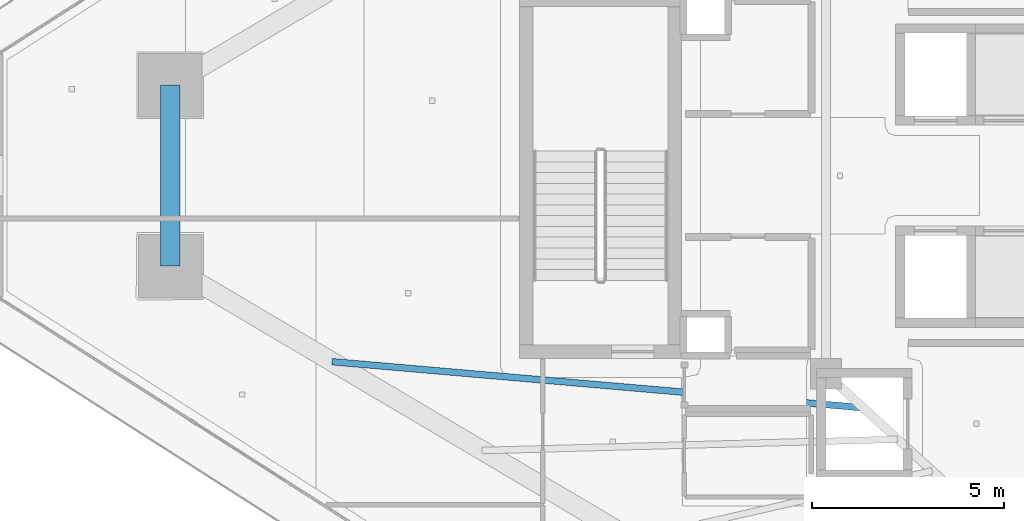
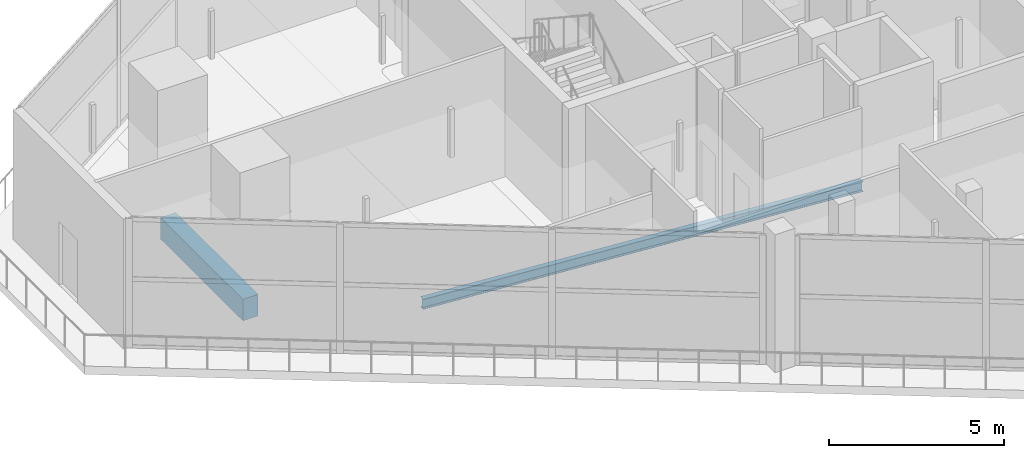
# One storey, part 6 of 36: 2 beams.
"""IFC4 building model written with IfcOpenShell, lengths in metres."""

from ifc_helpers import new_model, si_unit, direction, frame, origin, origin_2d, place, context, subcontext, project, spatial, rectangle, i_section, extrude, material, material_profile, profile_set, type_object, element, save


model = new_model("IFC4")

# Units and contexts
model_context = context("Model", 3, precision=1e-05, world=origin(), true_north=direction((0.0, 1.0)))
body_context = subcontext(model_context, "Body", "Model", "MODEL_VIEW")
ifc_project = project(units=[si_unit("LENGTHUNIT", "METRE"), si_unit("AREAUNIT", "SQUARE_METRE"), si_unit("VOLUMEUNIT", "CUBIC_METRE"), si_unit("PLANEANGLEUNIT", "RADIAN"), si_unit("MASSUNIT", "GRAM", prefix="KILO")], contexts=[model_context])

# Site, building, storey
site_placement = place(None, origin())
site = spatial("IfcSite", under=ifc_project, at=site_placement, CompositionType="ELEMENT")
building_placement = place(site_placement, origin())
building = spatial("IfcBuilding", under=site, at=building_placement, Name="Qorvath Tower", CompositionType="ELEMENT")
storey_placement = place(building_placement, frame((0.0, 0.0, 255.0)))
storey = spatial("IfcBuildingStorey", under=building, at=storey_placement, Name="L59", CompositionType="ELEMENT", Elevation=255.0)

# Beams
ifc_material_1 = material(Name="Steel ASTM A992 Grade 50", Category="steel")
ifc_material_profile_1 = material_profile(ifc_material_1, i_section(OverallWidth=0.1708984375, OverallDepth=0.35107421875, WebThickness=0.0068359375, FlangeThickness=0.009765625, FilletRadius=0.010009765625, at=origin_2d()), Name="W14x30")
ifc_profile_set_1 = profile_set([ifc_material_profile_1], Name="Steel ASTM A992 Grade 50")
beam_type_1 = type_object("IfcBeamType", Name="BM-FJ4", PredefinedType="JOIST", material=ifc_profile_set_1)
beam_1_placement = place(storey_placement, frame((-29.533935546875, -6.031982421875, -0.4755859375), z_axis=(-0.996257895131, 0.086430355719, 0.0), x_axis=(-0.086430355719, -0.996257895131, 0.0)))
element("IfcBeam", 1, at=beam_1_placement, inside=storey, type_object=beam_type_1, Name="Composite Floor Joist SW1 L59", PredefinedType="JOIST", context=body_context, shape_type="SweptSolid", body=[
    extrude(i_section(OverallWidth=0.1708984375, OverallDepth=0.35107421875, WebThickness=0.0068359375, FlangeThickness=0.009765625, FilletRadius=0.010009765625, at=origin_2d()), origin(), (0.0, 0.0, 1.0), 13.852294921875),
])
ifc_material_2 = material(Name="Concrete C45/55", Category="concrete")
ifc_material_profile_2 = material_profile(ifc_material_2, rectangle(XDim=0.5, YDim=0.75, at=origin_2d()), Name="RCB 750x500")
ifc_profile_set_2 = profile_set([ifc_material_profile_2], Name="Concrete C45/55")
beam_type_2 = type_object("IfcBeamType", Name="BM-RCB3", PredefinedType="SPANDREL", material=ifc_profile_set_2)
beam_2_placement = place(storey_placement, frame((-47.53759765625, 2.349609375, -0.675048828125), z_axis=(0.0, -1.0, 0.0), x_axis=(1.0, 0.0, 0.0)))
element("IfcBeam", 2, at=beam_2_placement, inside=storey, type_object=beam_type_2, Name="Perimeter Loggia Frame Beam MC1-MC2 L59", PredefinedType="SPANDREL", context=body_context, shape_type="SweptSolid", body=[
    extrude(rectangle(XDim=0.5, YDim=0.75, at=origin_2d()), origin(), (0.0, 0.0, 1.0), 4.69921875),
])

save(model, "model.ifc")
